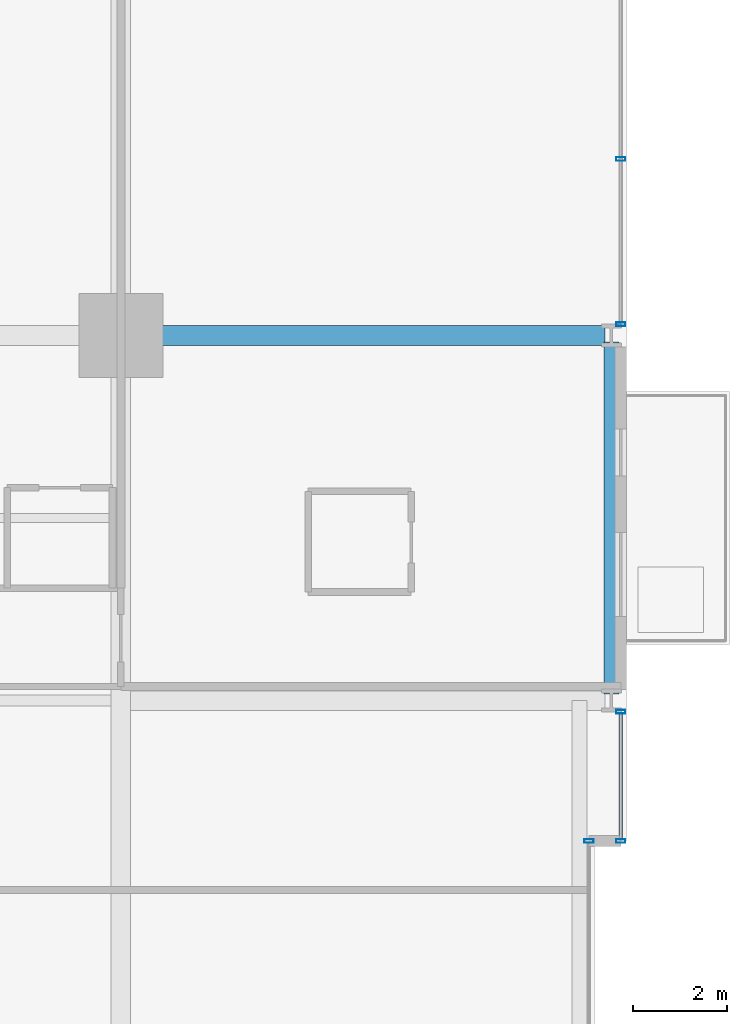
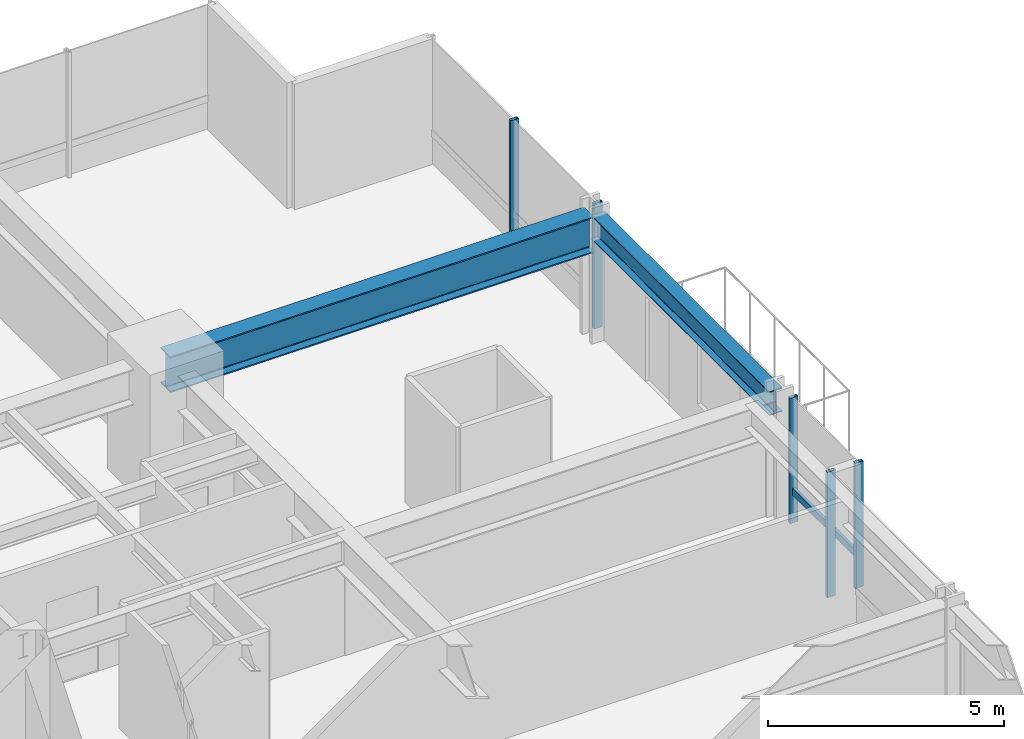
# One storey, part 25 of 38: 6 members, 2 beams, 3 elements without a shape of their own.
"""IFC4 building model written with IfcOpenShell, lengths in metres."""

from ifc_helpers import new_model, si_unit, direction, frame, origin, origin_2d, place, context, subcontext, project, spatial, hollow_rectangle, i_section, extrude, material, layer, layer_set, material_profile, profile_set, type_object, element, aggregate, save


model = new_model("IFC4")

# Units and contexts
model_context = context("Model", 3, precision=1e-05, world=origin(), true_north=direction((0.0, 1.0)))
body_context = subcontext(model_context, "Body", "Model", "MODEL_VIEW")
ifc_project = project(units=[si_unit("LENGTHUNIT", "METRE"), si_unit("AREAUNIT", "SQUARE_METRE"), si_unit("VOLUMEUNIT", "CUBIC_METRE"), si_unit("PLANEANGLEUNIT", "RADIAN"), si_unit("MASSUNIT", "GRAM", prefix="KILO")], contexts=[model_context])

# Site, building, storey
site_placement = place(None, origin())
site = spatial("IfcSite", under=ifc_project, at=site_placement, CompositionType="ELEMENT")
building_placement = place(site_placement, origin())
building = spatial("IfcBuilding", under=site, at=building_placement, Name="Drelvath Grand Hotel", CompositionType="ELEMENT")
storey_placement = place(building_placement, frame((0.0, 0.0, 47.199951171875)))
storey = spatial("IfcBuildingStorey", under=building, at=storey_placement, Name="L10", CompositionType="ELEMENT", Elevation=47.199951171875)

# Curtain wall, members
ifc_material_1 = material(Name="Warm Bronze Anodised Aluminium Frame", Category="aluminium")
ifc_layer = layer(ifc_material_1, 0.199951171875)
ifc_layer_set = layer_set([ifc_layer], Name="Warm Bronze Anodised Aluminium Frame")
curtain_wall_type = type_object("IfcCurtainWallType", Name="Stick Curtain Wall CW-02 Warm Bronze Low-Rise", PredefinedType="NOTDEFINED", material=ifc_layer_set)
curtain_wall_1_placement = place(storey_placement, origin())
curtain_wall_1 = element("IfcCurtainWall", 1, at=curtain_wall_1_placement, inside=storey, type_object=curtain_wall_type, Name="L10 CW-02 Curtain Wall CW02-L10-EN1", PredefinedType="NOTDEFINED")
ifc_material_profile_1 = material_profile(ifc_material_1, hollow_rectangle(XDim=0.074951171875, YDim=0.179931640625, WallThickness=0.0048828125, at=origin_2d()), Name="HSS180X75X5")
ifc_profile_set_1 = profile_set([ifc_material_profile_1], Name="Warm Bronze Anodised Aluminium Frame")
member_type_1 = type_object("IfcMemberType", Name="Curtain Wall Horizontal Transom CW-02 HSS180X75X5", PredefinedType="USERDEFINED", material=ifc_profile_set_1)
member_1_placement = place(storey_placement, frame((26.8798828125, 35.119140625, 0.81005859375), z_axis=(0.0, -1.0, 0.0), x_axis=(1.0, 0.0, 0.0)))
member_1 = element("IfcMember", 2, at=member_1_placement, type_object=member_type_1, Name="CW02-L10-EN1 Sill Transom", ObjectType="TRANSOM", PredefinedType="USERDEFINED", context=body_context, shape_type="SweptSolid", body=[
    extrude(hollow_rectangle(XDim=0.074951171875, YDim=0.179931640625, WallThickness=0.0048828125, at=origin_2d()), origin(), (0.0, 0.0, 1.0), 2.67919921875),
])
ifc_material_profile_2 = material_profile(ifc_material_1, hollow_rectangle(XDim=0.080078125, YDim=0.199951171875, WallThickness=0.0048828125, at=origin_2d()), Name="HSS200X80X5")
ifc_profile_set_2 = profile_set([ifc_material_profile_2], Name="Warm Bronze Anodised Aluminium Frame")
member_type_2 = type_object("IfcMemberType", Name="Curtain Wall Vertical Mullion CW-02 HSS200X80X5", PredefinedType="MULLION", material=ifc_profile_set_2)
member_2_placement = place(storey_placement, frame((26.8798828125, 35.1591796875, 0.0), z_axis=(0.0, 0.0, 1.0), x_axis=(0.0, 1.0, 0.0)))
member_2 = element("IfcMember", 3, at=member_2_placement, type_object=member_type_2, Name="CW02-L10-EN1 Mullion 1", PredefinedType="MULLION", context=body_context, shape_type="SweptSolid", body=[
    extrude(hollow_rectangle(XDim=0.080078125, YDim=0.199951171875, WallThickness=0.0048828125, at=origin_2d()), origin(), (0.0, 0.0, 1.0), 3.239990234375),
])
member_3_placement = place(storey_placement, frame((26.8798828125, 32.39990234375, 0.0), z_axis=(0.0, 0.0, 1.0), x_axis=(0.0, 1.0, 0.0)))
member_3 = element("IfcMember", 4, at=member_3_placement, type_object=member_type_2, Name="CW02-L10-EN1 Mullion 2", PredefinedType="MULLION", context=body_context, shape_type="SweptSolid", body=[
    extrude(hollow_rectangle(XDim=0.080078125, YDim=0.199951171875, WallThickness=0.0048828125, at=origin_2d()), origin(), (0.0, 0.0, 1.0), 3.239990234375),
])
aggregate(curtain_wall_1, [member_2, member_3, member_1])

curtain_wall_2_placement = place(storey_placement, origin())
curtain_wall_2 = element("IfcCurtainWall", 5, at=curtain_wall_2_placement, inside=storey, type_object=curtain_wall_type, Name="L10 CW-02 Curtain Wall CW02-L10-EN3", PredefinedType="NOTDEFINED")
member_4_placement = place(storey_placement, frame((26.8798828125, 46.970458984375, 0.0), z_axis=(0.0, 0.0, 1.0), x_axis=(0.0, 1.0, 0.0)))
member_4 = element("IfcMember", 6, at=member_4_placement, type_object=member_type_2, Name="CW02-L10-EN3 Mullion 2", PredefinedType="MULLION", context=body_context, shape_type="SweptSolid", body=[
    extrude(hollow_rectangle(XDim=0.080078125, YDim=0.199951171875, WallThickness=0.0048828125, at=origin_2d()), origin(), (0.0, 0.0, 1.0), 3.239990234375),
])
member_5_placement = place(storey_placement, frame((26.8798828125, 43.44091796875, 0.0), z_axis=(0.0, 0.0, 1.0), x_axis=(0.0, 1.0, 0.0)))
member_5 = element("IfcMember", 7, at=member_5_placement, type_object=member_type_2, Name="CW02-L10-EN3 Mullion 3", PredefinedType="MULLION", context=body_context, shape_type="SweptSolid", body=[
    extrude(hollow_rectangle(XDim=0.080078125, YDim=0.199951171875, WallThickness=0.0048828125, at=origin_2d()), origin(), (0.0, 0.0, 1.0), 3.239990234375),
])
aggregate(curtain_wall_2, [member_4, member_5])

# Curtain wall, member
curtain_wall_3_placement = place(storey_placement, origin())
curtain_wall_3 = element("IfcCurtainWall", 8, at=curtain_wall_3_placement, inside=storey, type_object=curtain_wall_type, Name="L10 CW-02 Curtain Wall CW02-L10-EM2", PredefinedType="NOTDEFINED")
member_6_placement = place(storey_placement, frame((26.199951171875, 32.39990234375, 0.0), z_axis=(0.0, 0.0, 1.0), x_axis=(0.0, 1.0, 0.0)))
member_6 = element("IfcMember", 9, at=member_6_placement, type_object=member_type_2, Name="CW02-L10-EM2 Mullion 1", PredefinedType="MULLION", context=body_context, shape_type="SweptSolid", body=[
    extrude(hollow_rectangle(XDim=0.080078125, YDim=0.199951171875, WallThickness=0.0048828125, at=origin_2d()), origin(), (0.0, 0.0, 1.0), 3.239990234375),
])
aggregate(curtain_wall_3, [member_6])

# Beams
ifc_material_2 = material(Name="Steel ASTM A992 Gr 50", Category="steel")
ifc_material_profile_3 = material_profile(ifc_material_2, i_section(OverallWidth=0.323974609375, OverallDepth=0.611083984375, WebThickness=0.0126953125, FlangeThickness=0.01904296875, FilletRadius=0.02197265625, at=origin_2d()), Name="W24X104")
ifc_profile_set_3 = profile_set([ifc_material_profile_3], Name="Steel ASTM A992 Gr 50")
beam_type_1 = type_object("IfcBeamType", Name="Perimeter Spandrel Beam W24X104", PredefinedType="SPANDREL", material=ifc_profile_set_3)
beam_1_placement = place(storey_placement, frame((26.679931640625, 35.5400390625, 2.9345703125), z_axis=(0.0, 1.0, 0.0), x_axis=(-1.0, 0.0, 0.0)))
element("IfcBeam", 10, at=beam_1_placement, inside=storey, type_object=beam_type_1, Name="L10 Spandrel East N", PredefinedType="SPANDREL", context=body_context, shape_type="SweptSolid", body=[
    extrude(i_section(OverallWidth=0.323974609375, OverallDepth=0.611083984375, WebThickness=0.0126953125, FlangeThickness=0.01904296875, FilletRadius=0.02197265625, at=origin_2d()), origin(), (0.0, 0.0, 1.0), 7.52001953125),
])
ifc_material_profile_4 = material_profile(ifc_material_2, i_section(OverallWidth=0.418212890625, OverallDepth=0.926513671875, WebThickness=0.019287109375, FlangeThickness=0.031982421875, FilletRadius=0.028076171875, at=origin_2d()), Name="W36X231")
ifc_profile_set_4 = profile_set([ifc_material_profile_4], Name="Steel ASTM A992 Gr 50")
beam_type_2 = type_object("IfcBeamType", Name="Primary Floor Girder W36X231", PredefinedType="BEAM", material=ifc_profile_set_4)
beam_2_placement = place(storey_placement, frame((16.199951171875, 43.199951171875, 2.77685546875), z_axis=(1.0, 0.0, 0.0), x_axis=(0.0, 1.0, 0.0)))
element("IfcBeam", 11, at=beam_2_placement, inside=storey, type_object=beam_type_2, Name="L10 East Grid Girder G", PredefinedType="BEAM", context=body_context, shape_type="SweptSolid", body=[
    extrude(i_section(OverallWidth=0.418212890625, OverallDepth=0.926513671875, WebThickness=0.019287109375, FlangeThickness=0.031982421875, FilletRadius=0.028076171875, at=origin_2d()), origin(), (0.0, 0.0, 1.0), 10.340087890625),
])

save(model, "model.ifc")
